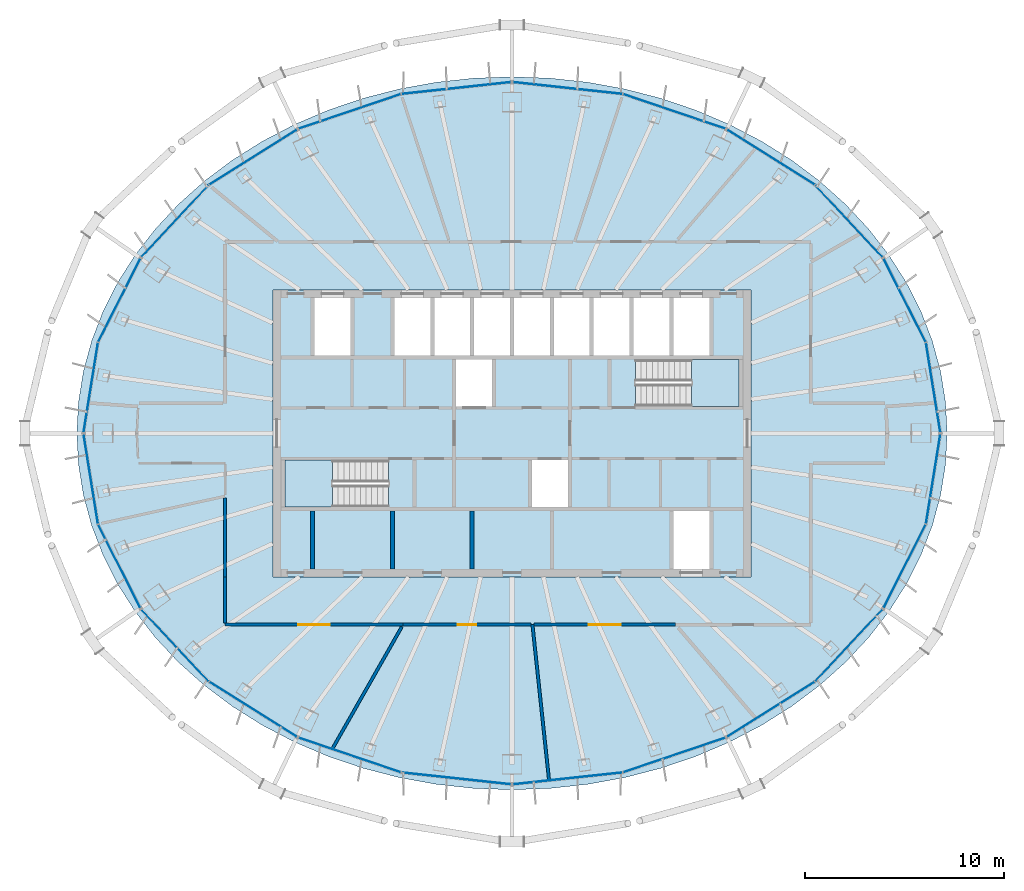
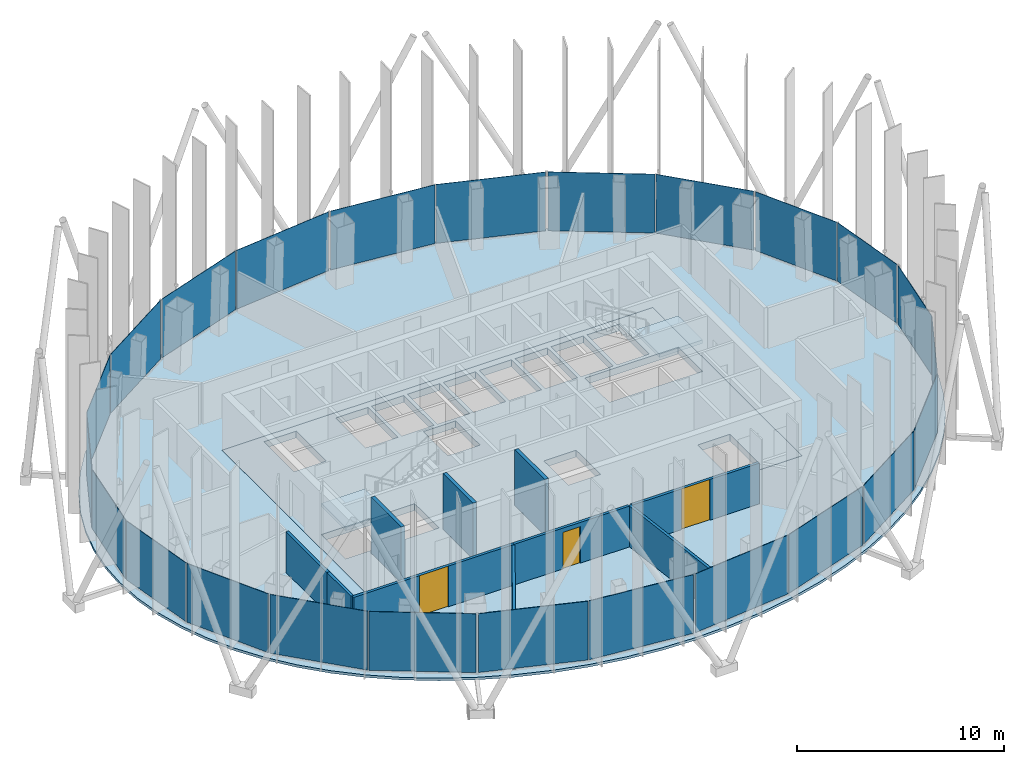
# One storey, part 9 of 20: 24 plates, 10 walls, 4 slabs, 3 doors, 3 openings, 14 elements without a shape of their own.
"""IFC4 building model written with IfcOpenShell, lengths in metres."""

import ifcopenshell
import ifcopenshell.guid

model = None  # the IFC model being written
_history = None  # IfcOwnerHistory: only IFC2X3 demands one
_inside = {}  # id of a spatial element -> (the spatial element, [elements in it])
_under = {}  # id of a project, library or spatial element -> (it, [spatial elements below it])
_declared = {}  # id of a project -> (the project, [libraries it declares])
_typed = {}  # id of a type object -> (the type object, [elements of that type])
_made_of = {}  # id of a material, layer set ... -> (it, [elements and type objects made of it])


def new_model(schema):
    """Start an empty IFC model of exactly this schema.

    Asked for "IFC4X3", IfcOpenShell would pick the latest addendum, in which some entities
    have other attributes; the version numbers below select the first issue.
    IFC2X3 requires an IfcOwnerHistory on every rooted entity: one is made here for all.
    """
    global model, _history
    if schema == "IFC4X3":
        model = ifcopenshell.file(schema_version=(4, 3, 0, 0))
    else:
        model = ifcopenshell.file(schema=schema)
    _inside.clear()
    _under.clear()
    _declared.clear()
    _typed.clear()
    _made_of.clear()
    _history = None
    if model.schema == "IFC2X3":
        org = make("IfcOrganization", Name="unknown")
        user = make(
            "IfcPersonAndOrganization",
            ThePerson=make("IfcPerson", FamilyName="unknown"),
            TheOrganization=org,
        )
        app = make(
            "IfcApplication",
            ApplicationDeveloper=org,
            Version="unknown",
            ApplicationFullName="unknown",
            ApplicationIdentifier="unknown",
        )
        _history = make(
            "IfcOwnerHistory",
            OwningUser=user,
            OwningApplication=app,
            ChangeAction="ADDED",
            CreationDate=0,
        )
    return model


def make(cls, **values):
    """One entity of the class cls with the attributes given. An attribute that is None is left unset."""
    return model.create_entity(
        cls, **{name: value for name, value in values.items() if value is not None}
    )


def rooted(cls, **values):
    """An entity with a GlobalId (a new one), such as an element, a storey or a relation."""
    return make(cls, GlobalId=ifcopenshell.guid.new(), OwnerHistory=_history, **values)


def si_unit(unit_type, name, prefix=None):
    """IfcSIUnit, for example si_unit("LENGTHUNIT", "METRE", prefix="MILLI")."""
    return make("IfcSIUnit", UnitType=unit_type, Prefix=prefix, Name=name)


def assignment(units):
    """IfcUnitAssignment: the units of a project."""
    return None if units is None else make("IfcUnitAssignment", Units=units)


def point(xyz):
    """IfcCartesianPoint."""
    return None if xyz is None else make("IfcCartesianPoint", Coordinates=xyz)


def direction(xyz):
    """IfcDirection."""
    return None if xyz is None else make("IfcDirection", DirectionRatios=xyz)


def frame(location, z_axis=None, x_axis=None):
    """IfcAxis2Placement3D, a coordinate frame: its origin and axes. An axis left out is left unset."""
    return make(
        "IfcAxis2Placement3D",
        Location=point(location),
        Axis=direction(z_axis),
        RefDirection=direction(x_axis),
    )


def frame_2d(location, x_axis=None):
    """IfcAxis2Placement2D, a coordinate frame in the plane: its origin and x axis."""
    return make(
        "IfcAxis2Placement2D", Location=point(location), RefDirection=direction(x_axis)
    )


def origin():
    """The frame at (0, 0, 0) with its axes left unset."""
    return frame((0.0, 0.0, 0.0))


def origin_2d():
    """The frame at (0, 0) in the plane with its x axis left unset."""
    return frame_2d((0.0, 0.0))


def place(relative_to, where):
    """IfcLocalPlacement: puts the frame where relative to a parent placement (None: the world)."""
    return make(
        "IfcLocalPlacement", PlacementRelTo=relative_to, RelativePlacement=where
    )


def context(
    kind, dimensions, precision=None, world=None, true_north=None, identifier=None
):
    """IfcGeometricRepresentationContext, for example the 3D "Model" context."""
    return make(
        "IfcGeometricRepresentationContext",
        ContextIdentifier=identifier,
        ContextType=kind,
        CoordinateSpaceDimension=dimensions,
        Precision=precision,
        WorldCoordinateSystem=world,
        TrueNorth=true_north,
    )


def subcontext(parent, identifier, kind, view, scale=None):
    """IfcGeometricRepresentationSubContext, for example "Body" below "Model"."""
    return make(
        "IfcGeometricRepresentationSubContext",
        ContextIdentifier=identifier,
        ContextType=kind,
        ParentContext=parent,
        TargetScale=scale,
        TargetView=view,
    )


def project(units=None, contexts=None):
    """IfcProject with its units and contexts."""
    return rooted(
        "IfcProject",
        Name="project",
        RepresentationContexts=contexts,
        UnitsInContext=assignment(units),
    )


def spatial(cls, under=None, at=None, **own):
    """A site, building, storey or space (cls), placed at a placement, below another one or the project."""
    s = rooted(cls, ObjectPlacement=at, **own)
    if under is not None:
        _under.setdefault(under.id(), (under, []))[1].append(s)
    return s


def polyline(points):
    """IfcPolyline through the points."""
    return make("IfcPolyline", Points=[point(p) for p in points])


def profile(cls, at=None, kind="AREA", **sizes):
    """A parametric profile (cls). Its sizes go by their IFC names, for example OverallWidth=200.0."""
    return make(cls, ProfileType=kind, Position=at, **sizes)


def rectangle(**sizes):
    """IfcRectangleProfileDef."""
    return profile("IfcRectangleProfileDef", **sizes)


def outline(outer, holes=None, kind="AREA"):
    """IfcArbitraryClosedProfileDef: a profile drawn as a closed curve; with holes, ...WithVoids."""
    if holes is None:
        return make("IfcArbitraryClosedProfileDef", ProfileType=kind, OuterCurve=outer)
    return make(
        "IfcArbitraryProfileDefWithVoids",
        ProfileType=kind,
        OuterCurve=outer,
        InnerCurves=holes,
    )


def extrude(swept, where, along, depth):
    """IfcExtrudedAreaSolid: the profile swept, set in the frame where, extruded along a direction by depth."""
    return make(
        "IfcExtrudedAreaSolid",
        SweptArea=swept,
        Position=where,
        ExtrudedDirection=direction(along),
        Depth=depth,
    )


def shape(context_of_items, identifier, shape_type, items):
    """IfcShapeRepresentation: the items that make up one representation, for example the "Body"."""
    return make(
        "IfcShapeRepresentation",
        ContextOfItems=context_of_items,
        RepresentationIdentifier=identifier,
        RepresentationType=shape_type,
        Items=items,
    )


def material(Name=None, Category=None):
    """IfcMaterial."""
    return make("IfcMaterial", Name=Name, Category=Category)


def layer(
    of_material, thickness, ventilated=None, Name=None, Category=None, Priority=None
):
    """IfcMaterialLayer: one layer of a wall or slab, of a material (None: an air gap)."""
    return make(
        "IfcMaterialLayer",
        Material=of_material,
        LayerThickness=thickness,
        IsVentilated=ventilated,
        Name=Name,
        Category=Category,
        Priority=Priority,
    )


def layer_set(layers, Name=None):
    """IfcMaterialLayerSet."""
    return make("IfcMaterialLayerSet", MaterialLayers=layers, LayerSetName=Name)


def made_of(thing, what):
    """Note that an element or type object is made of a material, layer set ...; save() writes the relation."""
    if what is not None:
        _made_of.setdefault(what.id(), (what, []))[1].append(thing)
    return thing


def type_object(cls, material=None, **own):
    """A type object (cls), such as IfcWallType, which elements share."""
    return made_of(rooted(cls, **own), material)


def element(
    cls,
    number,
    at=None,
    inside=None,
    cuts=None,
    type_object=None,
    material=None,
    context=None,
    identifier="Body",
    shape_type=None,
    held_by="IfcProductDefinitionShape",
    body=None,
    shapes=None,
    **own,
):
    """One element of the class cls, such as IfcWall. Its Tag is "e" and its number.

    at: its placement. inside: the storey or other place that contains it. cuts: it is an
    opening in that element (IfcRelVoidsElement). A single representation is given by context,
    identifier, shape_type and body (its items); several are given by shapes. held_by: the class
    of the entity that holds the representations. save() writes the other relations.
    """
    e = rooted(cls, Tag="e%d" % number, ObjectPlacement=at, **own)
    if body is not None:
        shapes = [shape(context, identifier, shape_type, body)]
    if shapes is not None:
        e.Representation = make(held_by, Representations=shapes)
    if inside is not None:
        _inside.setdefault(inside.id(), (inside, []))[1].append(e)
    if cuts is not None:
        rooted(
            "IfcRelVoidsElement", RelatingBuildingElement=cuts, RelatedOpeningElement=e
        )
    if type_object is not None:
        _typed.setdefault(type_object.id(), (type_object, []))[1].append(e)
    return made_of(e, material)


def fill(opening, filler):
    """IfcRelFillsElement: the door or window that sits in an opening."""
    return rooted(
        "IfcRelFillsElement",
        RelatingOpeningElement=opening,
        RelatedBuildingElement=filler,
    )


def aggregate(whole, parts):
    """IfcRelAggregates: a whole, such as a stair, and the parts it consists of."""
    return rooted("IfcRelAggregates", RelatingObject=whole, RelatedObjects=parts)


def save(model, path):
    """Write the relations noted so far, then the file.

    IfcRelAggregates (storeys below a building ...), IfcRelContainedInSpatialStructure (elements
    in a storey), IfcRelDefinesByType, IfcRelAssociatesMaterial and IfcRelDeclares: one each for
    every whole, place, type object, material and project.
    """
    for whole, parts in _under.values():
        aggregate(whole, parts)
    for where, things in _inside.values():
        rooted(
            "IfcRelContainedInSpatialStructure",
            RelatedElements=things,
            RelatingStructure=where,
        )
    for kind, things in _typed.values():
        rooted("IfcRelDefinesByType", RelatedObjects=things, RelatingType=kind)
    for what, things in _made_of.values():
        rooted("IfcRelAssociatesMaterial", RelatedObjects=things, RelatingMaterial=what)
    for by, libraries in _declared.values():
        rooted("IfcRelDeclares", RelatingContext=by, RelatedDefinitions=libraries)
    model.write(path)


model = new_model("IFC4")

# Units and contexts
model_context = context("Model", 3, precision=1e-05, world=origin(), true_north=direction((0.0, 1.0)))
body_context = subcontext(model_context, "Body", "Model", "MODEL_VIEW")
ifc_project = project(units=[si_unit("LENGTHUNIT", "METRE"), si_unit("AREAUNIT", "SQUARE_METRE"), si_unit("VOLUMEUNIT", "CUBIC_METRE"), si_unit("PLANEANGLEUNIT", "RADIAN"), si_unit("MASSUNIT", "GRAM", prefix="KILO")], contexts=[model_context])

# Site, building, storey
site_placement = place(None, origin())
site = spatial("IfcSite", under=ifc_project, at=site_placement, CompositionType="ELEMENT")
building_placement = place(site_placement, origin())
building = spatial("IfcBuilding", under=site, at=building_placement, Name="Siaravel Broadcast Tower", CompositionType="ELEMENT")
storey_placement = place(building_placement, frame((0.0, 0.0, 228.199951171875)))
storey = spatial("IfcBuildingStorey", under=building, at=storey_placement, Name="L55", CompositionType="ELEMENT", Elevation=228.199951171875)

# Curtain wall, plates
ifc_material_1 = material(Name="Aluminium 6063-T6", Category="aluminium")
ifc_layer_1 = layer(ifc_material_1, 0.159912109375)
ifc_layer_set_1 = layer_set([ifc_layer_1], Name="Aluminium 6063-T6")
curtain_wall_type = type_object("IfcCurtainWallType", Name="Unitised curtain wall, zone 4", PredefinedType="NOTDEFINED", material=ifc_layer_set_1)
curtain_wall_1_placement = place(storey_placement, origin())
curtain_wall_1 = element("IfcCurtainWall", 1, at=curtain_wall_1_placement, inside=storey, type_object=curtain_wall_type, Name="L55 Unitised curtain wall, zone 4 01", PredefinedType="NOTDEFINED")
ifc_material_2 = material(Name="Tinted insulated glass", Category="glass")
ifc_layer_2 = layer(ifc_material_2, 0.02587890625)
ifc_layer_set_2 = layer_set([ifc_layer_2], Name="Tinted insulated glass")
plate_type = type_object("IfcPlateType", Name="CW-Z4 glass panel", PredefinedType="CURTAIN_PANEL", material=ifc_layer_set_2)
plate_1_placement = place(storey_placement, frame((21.133056640625, 2.29541015625, 0.090087890625), z_axis=(0.0, 0.0, 1.0), x_axis=(-0.158684841, 0.987329287, 0.0)))
plate_1 = element("IfcPlate", 2, at=plate_1_placement, type_object=plate_type, Name="CW-Z4 glass panel", PredefinedType="CURTAIN_PANEL", context=body_context, shape_type="SweptSolid", body=[
    extrude(rectangle(XDim=4.53955078125, YDim=0.02587890625, at=origin_2d()), origin(), (0.0, 0.0, 1.0), 3.4599609375),
])
plate_2_placement = place(storey_placement, frame((19.699951171875, 6.6767578125, 0.090087890625), z_axis=(0.0, 0.0, 1.0), x_axis=(-0.451259489, 0.89239278, 0.0)))
plate_2 = element("IfcPlate", 3, at=plate_2_placement, type_object=plate_type, Name="CW-Z4 glass panel", PredefinedType="CURTAIN_PANEL", context=body_context, shape_type="SweptSolid", body=[
    extrude(rectangle(XDim=4.681396484375, YDim=0.02587890625, at=origin_2d()), origin(), (0.0, 0.0, 1.0), 3.4599609375),
])
aggregate(curtain_wall_1, [plate_1, plate_2])

curtain_wall_2_placement = place(storey_placement, origin())
curtain_wall_2 = element("IfcCurtainWall", 4, at=curtain_wall_2_placement, inside=storey, type_object=curtain_wall_type, Name="L55 Unitised curtain wall, zone 4 02", PredefinedType="NOTDEFINED")
plate_3_placement = place(storey_placement, frame((16.900390625, 10.649169921875, 0.090087890625), z_axis=(0.0, 0.0, 1.0), x_axis=(-0.683653927, 0.72980635, 0.0)))
plate_3 = element("IfcPlate", 5, at=plate_3_placement, type_object=plate_type, Name="CW-Z4 glass panel", PredefinedType="CURTAIN_PANEL", context=body_context, shape_type="SweptSolid", body=[
    extrude(rectangle(XDim=4.91748046875, YDim=0.02587890625, at=origin_2d()), origin(), (0.0, 0.0, 1.0), 3.4599609375),
])
plate_4_placement = place(storey_placement, frame((12.985595703125, 13.855712890625, 0.090087890625), z_axis=(0.0, 0.0, 1.0), x_axis=(-0.846649907, 0.532150293, 0.0)))
plate_4 = element("IfcPlate", 6, at=plate_4_placement, type_object=plate_type, Name="CW-Z4 glass panel", PredefinedType="CURTAIN_PANEL", context=body_context, shape_type="SweptSolid", body=[
    extrude(rectangle(XDim=5.17724609375, YDim=0.02587890625, at=origin_2d()), origin(), (0.0, 0.0, 1.0), 3.4599609375),
])
aggregate(curtain_wall_2, [plate_3, plate_4])

curtain_wall_3_placement = place(storey_placement, origin())
curtain_wall_3 = element("IfcCurtainWall", 7, at=curtain_wall_3_placement, inside=storey, type_object=curtain_wall_type, Name="L55 Unitised curtain wall, zone 4 03", PredefinedType="NOTDEFINED")
plate_5_placement = place(storey_placement, frame((8.14208984375, 16.146484375, 0.090087890625), z_axis=(0.0, 0.0, 1.0), x_axis=(-0.946977002, 0.321301352, 0.0)))
plate_5 = element("IfcPlate", 8, at=plate_5_placement, type_object=plate_type, Name="CW-Z4 glass panel", PredefinedType="CURTAIN_PANEL", context=body_context, shape_type="SweptSolid", body=[
    extrude(rectangle(XDim=5.392333984375, YDim=0.02587890625, at=origin_2d()), origin(), (0.0, 0.0, 1.0), 3.4599609375),
])
plate_6_placement = place(storey_placement, frame((2.795166015625, 17.3203125, 0.090087890625), z_axis=(0.0, 0.0, 1.0), x_axis=(-0.994235563, 0.107217743, 0.0)))
plate_6 = element("IfcPlate", 9, at=plate_6_placement, type_object=plate_type, Name="CW-Z4 glass panel", PredefinedType="CURTAIN_PANEL", context=body_context, shape_type="SweptSolid", body=[
    extrude(rectangle(XDim=5.5126953125, YDim=0.02587890625, at=origin_2d()), origin(), (0.0, 0.0, 1.0), 3.4599609375),
])
aggregate(curtain_wall_3, [plate_5, plate_6])

curtain_wall_4_placement = place(storey_placement, origin())
curtain_wall_4 = element("IfcCurtainWall", 10, at=curtain_wall_4_placement, inside=storey, type_object=curtain_wall_type, Name="L55 Unitised curtain wall, zone 4 04", PredefinedType="NOTDEFINED")
plate_7_placement = place(storey_placement, frame((-2.795166015625, 17.3203125, 0.090087890625), z_axis=(0.0, 0.0, 1.0), x_axis=(-0.994235563, -0.107217743, 0.0)))
plate_7 = element("IfcPlate", 11, at=plate_7_placement, type_object=plate_type, Name="CW-Z4 glass panel", PredefinedType="CURTAIN_PANEL", context=body_context, shape_type="SweptSolid", body=[
    extrude(rectangle(XDim=5.5126953125, YDim=0.02587890625, at=origin_2d()), origin(), (0.0, 0.0, 1.0), 3.4599609375),
])
plate_8_placement = place(storey_placement, frame((-8.14208984375, 16.146484375, 0.090087890625), z_axis=(0.0, 0.0, 1.0), x_axis=(-0.946977002, -0.321301352, 0.0)))
plate_8 = element("IfcPlate", 12, at=plate_8_placement, type_object=plate_type, Name="CW-Z4 glass panel", PredefinedType="CURTAIN_PANEL", context=body_context, shape_type="SweptSolid", body=[
    extrude(rectangle(XDim=5.392333984375, YDim=0.02587890625, at=origin_2d()), origin(), (0.0, 0.0, 1.0), 3.4599609375),
])
aggregate(curtain_wall_4, [plate_7, plate_8])

curtain_wall_5_placement = place(storey_placement, origin())
curtain_wall_5 = element("IfcCurtainWall", 13, at=curtain_wall_5_placement, inside=storey, type_object=curtain_wall_type, Name="L55 Unitised curtain wall, zone 4 05", PredefinedType="NOTDEFINED")
plate_9_placement = place(storey_placement, frame((-12.985595703125, 13.855712890625, 0.090087890625), z_axis=(0.0, 0.0, 1.0), x_axis=(-0.846649907, -0.532150293, 0.0)))
plate_9 = element("IfcPlate", 14, at=plate_9_placement, type_object=plate_type, Name="CW-Z4 glass panel", PredefinedType="CURTAIN_PANEL", context=body_context, shape_type="SweptSolid", body=[
    extrude(rectangle(XDim=5.17724609375, YDim=0.02587890625, at=origin_2d()), origin(), (0.0, 0.0, 1.0), 3.4599609375),
])
plate_10_placement = place(storey_placement, frame((-16.900390625, 10.649169921875, 0.090087890625), z_axis=(0.0, 0.0, 1.0), x_axis=(-0.683653927, -0.72980635, 0.0)))
plate_10 = element("IfcPlate", 15, at=plate_10_placement, type_object=plate_type, Name="CW-Z4 glass panel", PredefinedType="CURTAIN_PANEL", context=body_context, shape_type="SweptSolid", body=[
    extrude(rectangle(XDim=4.91748046875, YDim=0.02587890625, at=origin_2d()), origin(), (0.0, 0.0, 1.0), 3.4599609375),
])
aggregate(curtain_wall_5, [plate_9, plate_10])

curtain_wall_6_placement = place(storey_placement, origin())
curtain_wall_6 = element("IfcCurtainWall", 16, at=curtain_wall_6_placement, inside=storey, type_object=curtain_wall_type, Name="L55 Unitised curtain wall, zone 4 06", PredefinedType="NOTDEFINED")
plate_11_placement = place(storey_placement, frame((-19.699951171875, 6.6767578125, 0.090087890625), z_axis=(0.0, 0.0, 1.0), x_axis=(-0.451259489, -0.89239278, 0.0)))
plate_11 = element("IfcPlate", 17, at=plate_11_placement, type_object=plate_type, Name="CW-Z4 glass panel", PredefinedType="CURTAIN_PANEL", context=body_context, shape_type="SweptSolid", body=[
    extrude(rectangle(XDim=4.681396484375, YDim=0.02587890625, at=origin_2d()), origin(), (0.0, 0.0, 1.0), 3.4599609375),
])
plate_12_placement = place(storey_placement, frame((-21.133056640625, 2.29541015625, 0.090087890625), z_axis=(0.0, 0.0, 1.0), x_axis=(-0.158684841, -0.987329287, 0.0)))
plate_12 = element("IfcPlate", 18, at=plate_12_placement, type_object=plate_type, Name="CW-Z4 glass panel", PredefinedType="CURTAIN_PANEL", context=body_context, shape_type="SweptSolid", body=[
    extrude(rectangle(XDim=4.53955078125, YDim=0.02587890625, at=origin_2d()), origin(), (0.0, 0.0, 1.0), 3.4599609375),
])
aggregate(curtain_wall_6, [plate_11, plate_12])

curtain_wall_7_placement = place(storey_placement, origin())
curtain_wall_7 = element("IfcCurtainWall", 19, at=curtain_wall_7_placement, inside=storey, type_object=curtain_wall_type, Name="L55 Unitised curtain wall, zone 4 07", PredefinedType="NOTDEFINED")
plate_13_placement = place(storey_placement, frame((-21.133056640625, -2.29541015625, 0.090087890625), z_axis=(0.0, 0.0, 1.0), x_axis=(0.158684841, -0.987329287, 0.0)))
plate_13 = element("IfcPlate", 20, at=plate_13_placement, type_object=plate_type, Name="CW-Z4 glass panel", PredefinedType="CURTAIN_PANEL", context=body_context, shape_type="SweptSolid", body=[
    extrude(rectangle(XDim=4.53955078125, YDim=0.02587890625, at=origin_2d()), origin(), (0.0, 0.0, 1.0), 3.4599609375),
])
plate_14_placement = place(storey_placement, frame((-19.699951171875, -6.6767578125, 0.090087890625), z_axis=(0.0, 0.0, 1.0), x_axis=(0.451259489, -0.89239278, 0.0)))
plate_14 = element("IfcPlate", 21, at=plate_14_placement, type_object=plate_type, Name="CW-Z4 glass panel", PredefinedType="CURTAIN_PANEL", context=body_context, shape_type="SweptSolid", body=[
    extrude(rectangle(XDim=4.681396484375, YDim=0.02587890625, at=origin_2d()), origin(), (0.0, 0.0, 1.0), 3.4599609375),
])
aggregate(curtain_wall_7, [plate_13, plate_14])

curtain_wall_8_placement = place(storey_placement, origin())
curtain_wall_8 = element("IfcCurtainWall", 22, at=curtain_wall_8_placement, inside=storey, type_object=curtain_wall_type, Name="L55 Unitised curtain wall, zone 4 08", PredefinedType="NOTDEFINED")
plate_15_placement = place(storey_placement, frame((-16.900390625, -10.649169921875, 0.090087890625), z_axis=(0.0, 0.0, 1.0), x_axis=(0.683653927, -0.72980635, 0.0)))
plate_15 = element("IfcPlate", 23, at=plate_15_placement, type_object=plate_type, Name="CW-Z4 glass panel", PredefinedType="CURTAIN_PANEL", context=body_context, shape_type="SweptSolid", body=[
    extrude(rectangle(XDim=4.91748046875, YDim=0.02587890625, at=origin_2d()), origin(), (0.0, 0.0, 1.0), 3.4599609375),
])
plate_16_placement = place(storey_placement, frame((-12.985595703125, -13.855712890625, 0.090087890625), z_axis=(0.0, 0.0, 1.0), x_axis=(0.846649907, -0.532150293, 0.0)))
plate_16 = element("IfcPlate", 24, at=plate_16_placement, type_object=plate_type, Name="CW-Z4 glass panel", PredefinedType="CURTAIN_PANEL", context=body_context, shape_type="SweptSolid", body=[
    extrude(rectangle(XDim=5.17724609375, YDim=0.02587890625, at=origin_2d()), origin(), (0.0, 0.0, 1.0), 3.4599609375),
])
aggregate(curtain_wall_8, [plate_15, plate_16])

curtain_wall_9_placement = place(storey_placement, origin())
curtain_wall_9 = element("IfcCurtainWall", 25, at=curtain_wall_9_placement, inside=storey, type_object=curtain_wall_type, Name="L55 Unitised curtain wall, zone 4 09", PredefinedType="NOTDEFINED")
plate_17_placement = place(storey_placement, frame((-8.14208984375, -16.146484375, 0.090087890625), z_axis=(0.0, 0.0, 1.0), x_axis=(0.946977002, -0.321301352, 0.0)))
plate_17 = element("IfcPlate", 26, at=plate_17_placement, type_object=plate_type, Name="CW-Z4 glass panel", PredefinedType="CURTAIN_PANEL", context=body_context, shape_type="SweptSolid", body=[
    extrude(rectangle(XDim=5.392333984375, YDim=0.02587890625, at=origin_2d()), origin(), (0.0, 0.0, 1.0), 3.4599609375),
])
plate_18_placement = place(storey_placement, frame((-2.795166015625, -17.3203125, 0.090087890625), z_axis=(0.0, 0.0, 1.0), x_axis=(0.994235563, -0.107217743, 0.0)))
plate_18 = element("IfcPlate", 27, at=plate_18_placement, type_object=plate_type, Name="CW-Z4 glass panel", PredefinedType="CURTAIN_PANEL", context=body_context, shape_type="SweptSolid", body=[
    extrude(rectangle(XDim=5.5126953125, YDim=0.02587890625, at=origin_2d()), origin(), (0.0, 0.0, 1.0), 3.4599609375),
])
aggregate(curtain_wall_9, [plate_17, plate_18])

curtain_wall_10_placement = place(storey_placement, origin())
curtain_wall_10 = element("IfcCurtainWall", 28, at=curtain_wall_10_placement, inside=storey, type_object=curtain_wall_type, Name="L55 Unitised curtain wall, zone 4 10", PredefinedType="NOTDEFINED")
plate_19_placement = place(storey_placement, frame((2.795166015625, -17.3203125, 0.090087890625), z_axis=(0.0, 0.0, 1.0), x_axis=(0.994235563, 0.107217743, 0.0)))
plate_19 = element("IfcPlate", 29, at=plate_19_placement, type_object=plate_type, Name="CW-Z4 glass panel", PredefinedType="CURTAIN_PANEL", context=body_context, shape_type="SweptSolid", body=[
    extrude(rectangle(XDim=5.5126953125, YDim=0.02587890625, at=origin_2d()), origin(), (0.0, 0.0, 1.0), 3.4599609375),
])
plate_20_placement = place(storey_placement, frame((8.14208984375, -16.146484375, 0.090087890625), z_axis=(0.0, 0.0, 1.0), x_axis=(0.946977002, 0.321301352, 0.0)))
plate_20 = element("IfcPlate", 30, at=plate_20_placement, type_object=plate_type, Name="CW-Z4 glass panel", PredefinedType="CURTAIN_PANEL", context=body_context, shape_type="SweptSolid", body=[
    extrude(rectangle(XDim=5.392333984375, YDim=0.02587890625, at=origin_2d()), origin(), (0.0, 0.0, 1.0), 3.4599609375),
])
aggregate(curtain_wall_10, [plate_19, plate_20])

curtain_wall_11_placement = place(storey_placement, origin())
curtain_wall_11 = element("IfcCurtainWall", 31, at=curtain_wall_11_placement, inside=storey, type_object=curtain_wall_type, Name="L55 Unitised curtain wall, zone 4 11", PredefinedType="NOTDEFINED")
plate_21_placement = place(storey_placement, frame((12.985595703125, -13.855712890625, 0.090087890625), z_axis=(0.0, 0.0, 1.0), x_axis=(0.846649907, 0.532150293, 0.0)))
plate_21 = element("IfcPlate", 32, at=plate_21_placement, type_object=plate_type, Name="CW-Z4 glass panel", PredefinedType="CURTAIN_PANEL", context=body_context, shape_type="SweptSolid", body=[
    extrude(rectangle(XDim=5.17724609375, YDim=0.02587890625, at=origin_2d()), origin(), (0.0, 0.0, 1.0), 3.4599609375),
])
plate_22_placement = place(storey_placement, frame((16.900390625, -10.649169921875, 0.090087890625), z_axis=(0.0, 0.0, 1.0), x_axis=(0.683653927, 0.72980635, 0.0)))
plate_22 = element("IfcPlate", 33, at=plate_22_placement, type_object=plate_type, Name="CW-Z4 glass panel", PredefinedType="CURTAIN_PANEL", context=body_context, shape_type="SweptSolid", body=[
    extrude(rectangle(XDim=4.91748046875, YDim=0.02587890625, at=origin_2d()), origin(), (0.0, 0.0, 1.0), 3.4599609375),
])
aggregate(curtain_wall_11, [plate_21, plate_22])

curtain_wall_12_placement = place(storey_placement, origin())
curtain_wall_12 = element("IfcCurtainWall", 34, at=curtain_wall_12_placement, inside=storey, type_object=curtain_wall_type, Name="L55 Unitised curtain wall, zone 4 12", PredefinedType="NOTDEFINED")
plate_23_placement = place(storey_placement, frame((19.699951171875, -6.6767578125, 0.090087890625), z_axis=(0.0, 0.0, 1.0), x_axis=(0.451259489, 0.89239278, 0.0)))
plate_23 = element("IfcPlate", 35, at=plate_23_placement, type_object=plate_type, Name="CW-Z4 glass panel", PredefinedType="CURTAIN_PANEL", context=body_context, shape_type="SweptSolid", body=[
    extrude(rectangle(XDim=4.681396484375, YDim=0.02587890625, at=origin_2d()), origin(), (0.0, 0.0, 1.0), 3.4599609375),
])
plate_24_placement = place(storey_placement, frame((21.133056640625, -2.29541015625, 0.090087890625), z_axis=(0.0, 0.0, 1.0), x_axis=(0.158684841, 0.987329287, 0.0)))
plate_24 = element("IfcPlate", 36, at=plate_24_placement, type_object=plate_type, Name="CW-Z4 glass panel", PredefinedType="CURTAIN_PANEL", context=body_context, shape_type="SweptSolid", body=[
    extrude(rectangle(XDim=4.53955078125, YDim=0.02587890625, at=origin_2d()), origin(), (0.0, 0.0, 1.0), 3.4599609375),
])
aggregate(curtain_wall_12, [plate_23, plate_24])

# Slabs
ifc_material_3 = material(Name="Concrete C40/50", Category="concrete")
ifc_layer_3 = layer(ifc_material_3, 0.39990234375)
ifc_layer_set_3 = layer_set([ifc_layer_3], Name="Concrete C40/50")
slab_type_1 = type_object("IfcSlabType", Name="Core floor slab 400", PredefinedType="FLOOR", material=ifc_layer_set_3)
slab_1_placement = place(storey_placement, frame((0.0, 0.0, -0.39990234375)))
element("IfcSlab", 37, at=slab_1_placement, inside=storey, type_object=slab_type_1, Name="L55 core floor", PredefinedType="FLOOR", context=body_context, shape_type="SweptSolid", body=[
    extrude(outline(polyline([(-12.0, -7.199951171875), (-12.0, 7.199951171875), (12.0, 7.199951171875), (12.0, -7.199951171875), (-12.0, -7.199951171875)]), holes=[polyline([(11.3994140625, 1.3505859375), (11.3994140625, 3.699462890625), (6.200439453125, 3.699462890625), (6.200439453125, 1.3505859375), (11.3994140625, 1.3505859375)]), polyline([(8.10009765625, -3.89990234375), (8.10009765625, -6.800048828125), (9.89990234375, -6.800048828125), (9.89990234375, -3.89990234375), (8.10009765625, -3.89990234375)]), polyline([(9.89990234375, 6.800048828125), (8.10009765625, 6.800048828125), (8.10009765625, 3.89990234375), (9.89990234375, 3.89990234375), (9.89990234375, 6.800048828125)]), polyline([(7.89990234375, 6.800048828125), (6.10009765625, 6.800048828125), (6.10009765625, 3.89990234375), (7.89990234375, 3.89990234375), (7.89990234375, 6.800048828125)]), polyline([(5.89990234375, 6.800048828125), (4.10009765625, 6.800048828125), (4.10009765625, 3.89990234375), (5.89990234375, 3.89990234375), (5.89990234375, 6.800048828125)]), polyline([(3.89990234375, 6.800048828125), (2.10009765625, 6.800048828125), (2.10009765625, 3.89990234375), (3.89990234375, 3.89990234375), (3.89990234375, 6.800048828125)]), polyline([(2.800048828125, -1.35009765625), (1.0, -1.35009765625), (1.0, -3.699951171875), (2.800048828125, -3.699951171875), (2.800048828125, -1.35009765625)]), polyline([(1.89990234375, 6.800048828125), (0.10009765625, 6.800048828125), (0.10009765625, 3.89990234375), (1.89990234375, 3.89990234375), (1.89990234375, 6.800048828125)]), polyline([(-0.10009765625, 6.800048828125), (-1.89990234375, 6.800048828125), (-1.89990234375, 3.89990234375), (-0.10009765625, 3.89990234375), (-0.10009765625, 6.800048828125)]), polyline([(-1.0, 3.699951171875), (-2.800048828125, 3.699951171875), (-2.800048828125, 1.35009765625), (-1.0, 1.35009765625), (-1.0, 3.699951171875)]), polyline([(-2.10009765625, 6.800048828125), (-3.89990234375, 6.800048828125), (-3.89990234375, 3.89990234375), (-2.10009765625, 3.89990234375), (-2.10009765625, 6.800048828125)]), polyline([(-4.10009765625, 6.800048828125), (-5.89990234375, 6.800048828125), (-5.89990234375, 3.89990234375), (-4.10009765625, 3.89990234375), (-4.10009765625, 6.800048828125)]), polyline([(-11.3994140625, -3.699462890625), (-6.200439453125, -3.699462890625), (-6.200439453125, -1.3505859375), (-11.3994140625, -1.3505859375), (-11.3994140625, -3.699462890625)]), polyline([(-8.10009765625, 6.800048828125), (-9.89990234375, 6.800048828125), (-9.89990234375, 3.89990234375), (-8.10009765625, 3.89990234375), (-8.10009765625, 6.800048828125)])]), origin(), (0.0, 0.0, 1.0), 0.39990234375),
])
ifc_layer_4 = layer(ifc_material_3, 0.14990234375)
ifc_layer_set_4 = layer_set([ifc_layer_4], Name="Concrete C40/50")
slab_type_2 = type_object("IfcSlabType", Name="SLB-FLOOR-150", PredefinedType="FLOOR", material=ifc_layer_set_4)
slab_2_placement = place(storey_placement, frame((0.0, 0.0, -0.14990234375)))
element("IfcSlab", 38, at=slab_2_placement, inside=storey, type_object=slab_type_2, Name="Floor slab", PredefinedType="FLOOR", context=body_context, shape_type="SweptSolid", body=[
    extrude(outline(polyline([(21.836181640625, 0.0), (21.753173828125, 1.558837890625), (21.50439453125, 3.10595703125), (21.092041015625, 4.62939453125), (20.519287109375, 6.117431640625), (19.790283203125, 7.55908203125), (18.91064453125, 8.943115234375), (17.88720703125, 10.25927734375), (16.7275390625, 11.4970703125), (15.4404296875, 12.6474609375), (14.035888671875, 13.70166015625), (12.524658203125, 14.651611328125), (10.918212890625, 15.489990234375), (9.228515625, 16.21044921875), (7.468505859375, 16.8076171875), (5.651611328125, 17.27685546875), (3.791748046875, 17.614501953125), (1.9033203125, 17.818115234375), (0.0, 17.88623046875), (-1.9033203125, 17.818115234375), (-3.791748046875, 17.614501953125), (-5.651611328125, 17.27685546875), (-7.468505859375, 16.8076171875), (-9.228515625, 16.21044921875), (-10.918212890625, 15.489990234375), (-12.524658203125, 14.651611328125), (-14.035888671875, 13.70166015625), (-15.4404296875, 12.6474609375), (-16.7275390625, 11.4970703125), (-17.88720703125, 10.25927734375), (-18.91064453125, 8.943115234375), (-19.790283203125, 7.55908203125), (-20.519287109375, 6.117431640625), (-21.092041015625, 4.62939453125), (-21.50439453125, 3.10595703125), (-21.753173828125, 1.558837890625), (-21.836181640625, 0.0), (-21.753173828125, -1.558837890625), (-21.50439453125, -3.10595703125), (-21.092041015625, -4.62939453125), (-20.519287109375, -6.117431640625), (-19.790283203125, -7.55908203125), (-18.91064453125, -8.943115234375), (-17.88720703125, -10.25927734375), (-16.7275390625, -11.4970703125), (-15.4404296875, -12.6474609375), (-14.035888671875, -13.70166015625), (-12.524658203125, -14.651611328125), (-10.918212890625, -15.489990234375), (-9.228515625, -16.21044921875), (-7.468505859375, -16.8076171875), (-5.651611328125, -17.27685546875), (-3.791748046875, -17.614501953125), (-1.9033203125, -17.818115234375), (0.0, -17.88623046875), (1.9033203125, -17.818115234375), (3.791748046875, -17.614501953125), (5.651611328125, -17.27685546875), (7.468505859375, -16.8076171875), (9.228515625, -16.21044921875), (10.918212890625, -15.489990234375), (12.524658203125, -14.651611328125), (14.035888671875, -13.70166015625), (15.4404296875, -12.6474609375), (16.7275390625, -11.4970703125), (17.88720703125, -10.25927734375), (18.91064453125, -8.943115234375), (19.790283203125, -7.55908203125), (20.519287109375, -6.117431640625), (21.092041015625, -4.62939453125), (21.50439453125, -3.10595703125), (21.753173828125, -1.558837890625), (21.836181640625, 0.0)]), holes=[polyline([(-12.0, 7.199951171875), (12.0, 7.199951171875), (12.0, -7.199951171875), (-12.0, -7.199951171875), (-12.0, 7.199951171875)])]), origin(), (0.0, 0.0, 1.0), 0.14990234375),
])

# Stair, slab
stair_type = type_object("IfcStairType", Name="Core exit stair", PredefinedType="HALF_TURN_STAIR", material=ifc_material_3)
stair_1_placement = place(storey_placement, origin())
stair_1 = element("IfcStair", 39, at=stair_1_placement, inside=storey, type_object=stair_type, Name="L55 Exit stair ST-1", PredefinedType="HALF_TURN_STAIR")
ifc_layer_5 = layer(ifc_material_3, 0.199951171875)
ifc_layer_set_5 = layer_set([ifc_layer_5], Name="Concrete C40/50")
slab_type_3 = type_object("IfcSlabType", Name="Stair landing", PredefinedType="LANDING", material=ifc_layer_set_5)
slab_3_placement = place(storey_placement, frame((0.0, 0.0, 1.650146484375)))
slab_3 = element("IfcSlab", 40, at=slab_3_placement, type_object=slab_type_3, Name="ST-1 landing 1", PredefinedType="LANDING", context=body_context, shape_type="SweptSolid", body=[
    extrude(outline(polyline([(-9.0, -1.35009765625), (-11.39990234375, -1.35009765625), (-11.39990234375, -3.699951171875), (-9.0, -3.699951171875), (-9.0, -1.35009765625)])), origin(), (0.0, 0.0, 1.0), 0.199951171875),
])
aggregate(stair_1, [slab_3])

stair_2_placement = place(storey_placement, origin())
stair_2 = element("IfcStair", 41, at=stair_2_placement, inside=storey, type_object=stair_type, Name="L55 Exit stair ST-2", PredefinedType="HALF_TURN_STAIR")
slab_4_placement = place(storey_placement, frame((0.0, 0.0, 1.650146484375)))
slab_4 = element("IfcSlab", 42, at=slab_4_placement, type_object=slab_type_3, Name="ST-2 landing 1", PredefinedType="LANDING", context=body_context, shape_type="SweptSolid", body=[
    extrude(outline(polyline([(9.0, 1.35009765625), (11.39990234375, 1.35009765625), (11.39990234375, 3.699951171875), (9.0, 3.699951171875), (9.0, 1.35009765625)])), origin(), (0.0, 0.0, 1.0), 0.199951171875),
])
aggregate(stair_2, [slab_4])

# Walls
ifc_material_4 = material(Name="Concrete blockwork", Category="masonry")
ifc_layer_6 = layer(ifc_material_4, 0.199951171875)
ifc_layer_set_6 = layer_set([ifc_layer_6], Name="Concrete blockwork")
wall_type_1 = type_object("IfcWallType", Name="Core partition 200", PredefinedType="PARTITIONING", material=ifc_layer_set_6)
for number, where, z_axis, x_axis, name in (
    (43, (-6.0, -6.800048828125, 0.0), (0.0, 0.0, 1.0), (0.0, 1.0, 0.0), "L55 core partition PFS0"),
    (44, (-2.0, -6.800048828125, 0.0), (0.0, 0.0, 1.0), (0.0, 1.0, 0.0), "L55 core partition PFS2"),
):
    element("IfcWall", number, at=place(storey_placement, frame(where, z_axis=z_axis, x_axis=x_axis)), inside=storey, type_object=wall_type_1, Name=name, PredefinedType="PARTITIONING", context=body_context, shape_type="SweptSolid", body=[
        extrude(rectangle(XDim=2.900146484375, YDim=0.199951171875, at=frame_2d((1.4501953125, 0.0))), origin(), (0.0, 0.0, 1.0), 3.300048828125),
    ])

# Wall, opening, door
ifc_material_5 = material(Name="Gypsum board partition", Category="gypsum")
ifc_layer_7 = layer(ifc_material_5, 0.14990234375)
ifc_layer_set_7 = layer_set([ifc_layer_7], Name="Gypsum board partition")
wall_type_2 = type_object("IfcWallType", Name="Corridor wall 150", PredefinedType="PARTITIONING", material=ifc_layer_set_7)
wall_1_placement = place(storey_placement, frame((-14.39990234375, -9.60009765625, 0.0), z_axis=(0.0, 0.0, 1.0), x_axis=(1.0, 0.0, 0.0)))
wall_1 = element("IfcWall", 45, at=wall_1_placement, inside=storey, type_object=wall_type_2, Name="L55 partition 1", PredefinedType="PARTITIONING", context=body_context, shape_type="SweptSolid", body=[
    extrude(rectangle(XDim=8.934814453125, YDim=0.14990234375, at=frame_2d((4.46728515625, 0.0))), origin(), (0.0, 0.0, 1.0), 2.400146484375),
])
opening_1_placement = place(wall_1_placement, frame((3.66748046875, 0.0, 0.0)))
opening_1 = element("IfcOpeningElement", 46, at=opening_1_placement, cuts=wall_1, Name="Opening L55-001", PredefinedType="OPENING", context=body_context, shape_type="SweptSolid", body=[
    extrude(rectangle(XDim=1.60009765625, YDim=2.39990234375, at=frame_2d((0.800048828125, 1.199951171875))), frame((0.0, 0.0849609375, 0.0), z_axis=(0.0, -1.0, 0.0), x_axis=(1.0, 0.0, 0.0)), (0.0, 0.0, 1.0), 0.169921875),
])
ifc_material_6 = material(Name="Timber veneer", Category="wood")
door_type_1 = type_object("IfcDoorType", Name="Restaurant double door 1600", OperationType="DOUBLE_DOOR_SINGLE_SWING", PredefinedType="DOOR", material=ifc_material_6)
door_1_placement = place(opening_1_placement, origin())
door_1 = element("IfcDoor", 47, at=door_1_placement, inside=storey, type_object=door_type_1, Name="L55 door to Restaurant", OperationType="DOUBLE_DOOR_SINGLE_SWING", OverallHeight=2.39990234375, OverallWidth=1.60009765625, PredefinedType="DOOR", context=body_context, shape_type="SweptSolid", body=[
    extrude(rectangle(XDim=1.60009765625, YDim=2.39990234375, at=frame_2d((0.800048828125, 1.199951171875))), frame((0.0, 0.02490234375, 0.0), z_axis=(0.0, -1.0, 0.0), x_axis=(1.0, 0.0, 0.0)), (0.0, 0.0, 1.0), 0.050048828125),
])
fill(opening_1, door_1)

wall_2_placement = place(storey_placement, frame((1.11083984375, -9.60009765625, 0.0), z_axis=(0.0, 0.0, 1.0), x_axis=(1.0, 0.0, 0.0)))
wall_2 = element("IfcWall", 48, at=wall_2_placement, inside=storey, type_object=wall_type_2, Name="L55 partition 6", PredefinedType="PARTITIONING", context=body_context, shape_type="SweptSolid", body=[
    extrude(rectangle(XDim=7.095703125, YDim=0.14990234375, at=frame_2d((3.5478515625, 0.0))), origin(), (0.0, 0.0, 1.0), 2.400146484375),
])
opening_2_placement = place(wall_2_placement, frame((2.747802734375, 0.0, 0.0)))
opening_2 = element("IfcOpeningElement", 49, at=opening_2_placement, cuts=wall_2, Name="Opening L55-003", PredefinedType="OPENING", context=body_context, shape_type="SweptSolid", body=[
    extrude(rectangle(XDim=1.60009765625, YDim=2.39990234375, at=frame_2d((0.800048828125, 1.199951171875))), frame((0.0, 0.0849609375, 0.0), z_axis=(0.0, -1.0, 0.0), x_axis=(1.0, 0.0, 0.0)), (0.0, 0.0, 1.0), 0.169921875),
])
door_2_placement = place(opening_2_placement, origin())
door_2 = element("IfcDoor", 50, at=door_2_placement, inside=storey, type_object=door_type_1, Name="L55 door to Lounge", OperationType="DOUBLE_DOOR_SINGLE_SWING", OverallHeight=2.39990234375, OverallWidth=1.60009765625, PredefinedType="DOOR", context=body_context, shape_type="SweptSolid", body=[
    extrude(rectangle(XDim=1.60009765625, YDim=2.39990234375, at=frame_2d((0.800048828125, 1.199951171875))), frame((0.0, 0.02490234375, 0.0), z_axis=(0.0, -1.0, 0.0), x_axis=(1.0, 0.0, 0.0)), (0.0, 0.0, 1.0), 0.050048828125),
])
fill(opening_2, door_2)

wall_3_placement = place(storey_placement, frame((-5.464111328125, -9.60009765625, 0.0), z_axis=(0.0, 0.0, 1.0), x_axis=(1.0, 0.0, 0.0)))
wall_3 = element("IfcWall", 51, at=wall_3_placement, inside=storey, type_object=wall_type_2, Name="L55 partition 10", PredefinedType="PARTITIONING", context=body_context, shape_type="SweptSolid", body=[
    extrude(rectangle(XDim=6.412841796875, YDim=0.14990234375, at=frame_2d((3.20654296875, 0.0))), origin(), (0.0, 0.0, 1.0), 2.400146484375),
])
opening_3_placement = place(wall_3_placement, frame((2.7314453125, 0.0, 0.0)))
opening_3 = element("IfcOpeningElement", 52, at=opening_3_placement, cuts=wall_3, Name="Opening L55-002", PredefinedType="OPENING", context=body_context, shape_type="SweptSolid", body=[
    extrude(rectangle(XDim=0.949951171875, YDim=2.14990234375, at=frame_2d((0.47509765625, 1.074951171875))), frame((0.0, 0.0849609375, 0.0), z_axis=(0.0, -1.0, 0.0), x_axis=(1.0, 0.0, 0.0)), (0.0, 0.0, 1.0), 0.169921875),
])
door_type_2 = type_object("IfcDoorType", Name="Office door 950", OperationType="SINGLE_SWING_LEFT", PredefinedType="DOOR", material=ifc_material_6)
door_3_placement = place(opening_3_placement, origin())
door_3 = element("IfcDoor", 53, at=door_3_placement, inside=storey, type_object=door_type_2, Name="L55 door to Reception", OperationType="SINGLE_SWING_RIGHT", OverallHeight=2.14990234375, OverallWidth=0.949951171875, PredefinedType="DOOR", context=body_context, shape_type="SweptSolid", body=[
    extrude(rectangle(XDim=0.949951171875, YDim=2.14990234375, at=frame_2d((0.47509765625, 1.074951171875))), frame((0.0, 0.02490234375, 0.0), z_axis=(0.0, -1.0, 0.0), x_axis=(1.0, 0.0, 0.0)), (0.0, 0.0, 1.0), 0.050048828125),
])
fill(opening_3, door_3)

# Walls
wall_4_placement = place(storey_placement, frame((-14.39990234375, -3.255859375, 0.0), z_axis=(0.0, 0.0, 1.0), x_axis=(0.0, -1.0, 0.0)))
element("IfcWall", 54, at=wall_4_placement, inside=storey, type_object=wall_type_2, Name="L55 partition 22", PredefinedType="PARTITIONING", context=body_context, shape_type="SweptSolid", body=[
    extrude(rectangle(XDim=3.9560546875, YDim=0.14990234375, at=frame_2d((1.97802734375, 0.0))), origin(), (0.0, 0.0, 1.0), 2.400146484375),
])
wall_5_placement = place(storey_placement, frame((-14.39990234375, -7.212890625, 0.0), z_axis=(0.0, 0.0, 1.0), x_axis=(0.0, -1.0, 0.0)))
element("IfcWall", 55, at=wall_5_placement, inside=storey, type_object=wall_type_2, Name="L55 partition 29", PredefinedType="PARTITIONING", context=body_context, shape_type="SweptSolid", body=[
    extrude(rectangle(XDim=2.31005859375, YDim=0.14990234375, at=frame_2d((1.155029296875, 0.0))), origin(), (0.0, 0.0, 1.0), 2.400146484375),
])
ifc_layer_8 = layer(ifc_material_5, 0.14990234375)
ifc_layer_set_8 = layer_set([ifc_layer_8], Name="Gypsum board partition")
wall_type_3 = type_object("IfcWallType", Name="Room partition 150", PredefinedType="PARTITIONING", material=ifc_layer_set_8)
wall_6_placement = place(storey_placement, frame((1.85693359375, -17.385498046875, 0.0), z_axis=(0.0, 0.0, 1.0), x_axis=(-0.106203924, 0.99434437, 0.0)))
element("IfcWall", 56, at=wall_6_placement, inside=storey, type_object=wall_type_3, Name="L55 partition 3", PredefinedType="PARTITIONING", context=body_context, shape_type="SweptSolid", body=[
    extrude(rectangle(XDim=7.82958984375, YDim=0.14990234375, at=frame_2d((3.914794921875, 0.0))), origin(), (0.0, 0.0, 1.0), 2.400146484375),
])
wall_7_placement = place(storey_placement, frame((-9.005615234375, -15.819091796875, 0.0), z_axis=(0.0, 0.0, 1.0), x_axis=(0.494757339, 0.869031171, 0.0)))
element("IfcWall", 57, at=wall_7_placement, inside=storey, type_object=wall_type_3, Name="L55 partition 7", PredefinedType="PARTITIONING", context=body_context, shape_type="SweptSolid", body=[
    extrude(rectangle(XDim=7.025390625, YDim=0.14990234375, at=frame_2d((3.5126953125, 0.0))), origin(), (0.0, 0.0, 1.0), 2.400146484375),
])
ifc_material_7 = material(Name="Concrete C60/75", Category="concrete")
ifc_layer_9 = layer(ifc_material_7, 0.199951171875)
ifc_layer_set_9 = layer_set([ifc_layer_9], Name="Concrete C60/75")
wall_type_4 = type_object("IfcWallType", Name="Shaft wall 200", PredefinedType="SHEAR", material=ifc_layer_set_9)
wall_8_placement = place(storey_placement, frame((-10.0, -6.800048828125, 0.0), z_axis=(0.0, 0.0, 1.0), x_axis=(0.0, 1.0, 0.0)))
element("IfcWall", 58, at=wall_8_placement, inside=storey, type_object=wall_type_4, Name="L55 core wall SWS0", PredefinedType="SHEAR", context=body_context, shape_type="SweptSolid", body=[
    extrude(rectangle(XDim=2.900146484375, YDim=0.199951171875, at=frame_2d((1.4501953125, 0.0))), origin(), (0.0, 0.0, 1.0), 3.300048828125),
])

save(model, "model.ifc")
